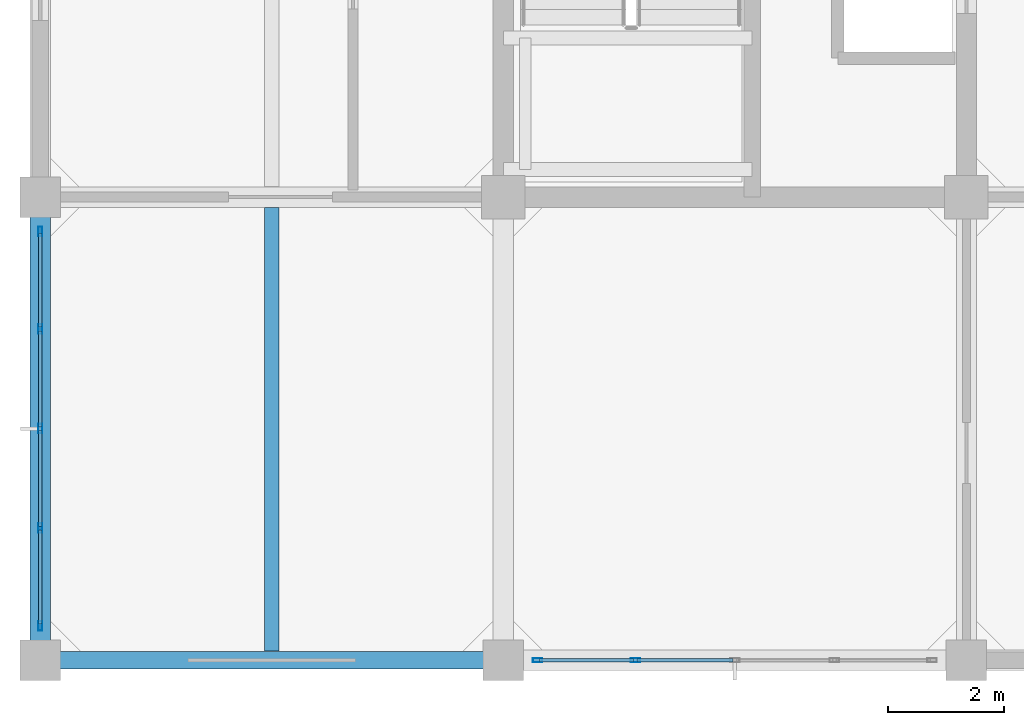
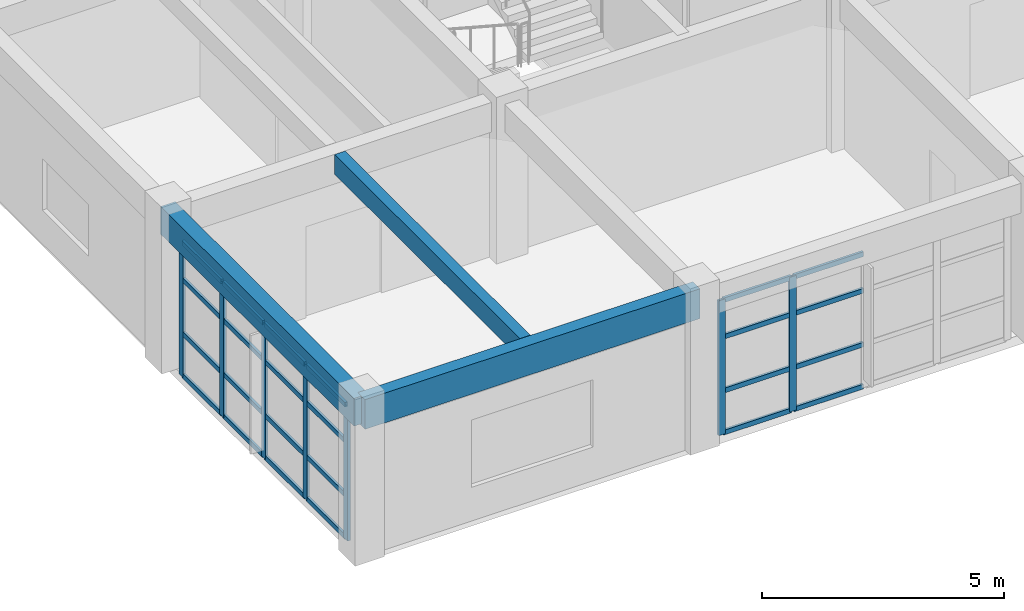
# One storey, part 2 of 19: 31 members, 3 beams, 2 elements without a shape of their own.
"""IFC4 building model written with IfcOpenShell, lengths in metres."""

from ifc_helpers import new_model, si_unit, direction, frame, origin, origin_2d, place, context, subcontext, project, spatial, rectangle, hollow_rectangle, extrude, material, layer, layer_set, material_profile, profile_set, type_object, element, aggregate, save


model = new_model("IFC4")

# Units and contexts
model_context = context("Model", 3, precision=1e-05, world=origin(), true_north=direction((0.0, 1.0)))
body_context = subcontext(model_context, "Body", "Model", "MODEL_VIEW")
ifc_project = project(units=[si_unit("LENGTHUNIT", "METRE"), si_unit("AREAUNIT", "SQUARE_METRE"), si_unit("VOLUMEUNIT", "CUBIC_METRE"), si_unit("PLANEANGLEUNIT", "RADIAN"), si_unit("MASSUNIT", "GRAM", prefix="KILO")], contexts=[model_context])

# Site, building, storey
site_placement = place(None, origin())
site = spatial("IfcSite", under=ifc_project, at=site_placement, CompositionType="ELEMENT")
building_placement = place(site_placement, origin())
building = spatial("IfcBuilding", under=site, at=building_placement, Name="Canggui Botanical Conservatory", CompositionType="ELEMENT")
storey_placement = place(building_placement, frame((0.0, 0.0, 44.39990234375)))
storey = spatial("IfcBuildingStorey", under=building, at=storey_placement, Name="L11", CompositionType="ELEMENT", Elevation=44.39990234375)

# Beams
ifc_material_1 = material(Name="Concrete C35", Category="concrete")
ifc_material_profile_1 = material_profile(ifc_material_1, rectangle(XDim=0.25, YDim=0.5, at=origin_2d()), Name="RB 250x500")
ifc_profile_set_1 = profile_set([ifc_material_profile_1], Name="Concrete C35")
beam_type_1 = type_object("IfcBeamType", Name="BM-JST04", PredefinedType="JOIST", material=ifc_profile_set_1)
beam_1_placement = place(storey_placement, frame((150.0, 34.155029296875, 3.710205078125), z_axis=(0.0, 1.0, 0.0), x_axis=(-1.0, 0.0, 0.0)))
element("IfcBeam", 1, at=beam_1_placement, inside=storey, type_object=beam_type_1, Name="Secondary Floor Joist L11-1-1", PredefinedType="JOIST", context=body_context, shape_type="SweptSolid", body=[
    extrude(rectangle(XDim=0.25, YDim=0.5, at=origin_2d()), origin(), (0.0, 0.0, 1.0), 7.6650390625),
])
ifc_material_profile_2 = material_profile(ifc_material_1, rectangle(XDim=0.35009765625, YDim=0.699951171875, at=origin_2d()), Name="RB 350x700")
ifc_profile_set_2 = profile_set([ifc_material_profile_2], Name="Concrete C35")
beam_type_2 = type_object("IfcBeamType", Name="BM-KL17", PredefinedType="BEAM", material=ifc_profile_set_2)
beam_2_placement = place(storey_placement, frame((146.0, 34.0, 3.610107421875), z_axis=(0.0, 1.0, 0.0), x_axis=(-1.0, 0.0, 0.0)))
element("IfcBeam", 2, at=beam_2_placement, inside=storey, type_object=beam_type_2, Name="Frame Girder L11 X146-1", PredefinedType="BEAM", context=body_context, shape_type="SweptSolid", body=[
    extrude(rectangle(XDim=0.35009765625, YDim=0.699951171875, at=origin_2d()), origin(), (0.0, 0.0, 1.0), 8.0),
])
ifc_material_profile_3 = material_profile(ifc_material_1, rectangle(XDim=0.300048828125, YDim=0.75, at=origin_2d()), Name="RB 300x750")
ifc_profile_set_3 = profile_set([ifc_material_profile_3], Name="Concrete C35")
beam_type_3 = type_object("IfcBeamType", Name="BM-SPD01", PredefinedType="SPANDREL", material=ifc_profile_set_3)
beam_3_placement = place(storey_placement, frame((146.0, 34.0, 3.585205078125), z_axis=(1.0, 0.0, 0.0), x_axis=(0.0, 1.0, 0.0)))
element("IfcBeam", 3, at=beam_3_placement, inside=storey, type_object=beam_type_3, Name="Frame Girder L11 Y34-1", PredefinedType="SPANDREL", context=body_context, shape_type="SweptSolid", body=[
    extrude(rectangle(XDim=0.300048828125, YDim=0.75, at=origin_2d()), origin(), (0.0, 0.0, 1.0), 8.0),
])

# Curtain wall, members
ifc_material_2 = material(Name="Thermally Broken Aluminium", Category="aluminium")
ifc_layer = layer(ifc_material_2, 0.1650390625, Name="Thermally Broken Aluminium", Category="aluminium")
ifc_layer_set = layer_set([ifc_layer], Name="Thermally Broken Aluminium")
curtain_wall_type = type_object("IfcCurtainWallType", Name="CW-UNIT-B", PredefinedType="USERDEFINED", material=ifc_layer_set)
curtain_wall_1_placement = place(storey_placement, origin())
curtain_wall_1 = element("IfcCurtainWall", 4, at=curtain_wall_1_placement, inside=storey, type_object=curtain_wall_type, Name="Facade Curtain Wall CW-TWR-L11-03", ObjectType="UNITISED CURTAIN WALL", PredefinedType="USERDEFINED")
ifc_material_profile_4 = material_profile(ifc_material_2, hollow_rectangle(XDim=0.06494140625, YDim=0.1650390625, WallThickness=0.00390625, at=origin_2d()), Name="CWM 65x165x4")
ifc_profile_set_4 = profile_set([ifc_material_profile_4], Name="Thermally Broken Aluminium")
member_type_1 = type_object("IfcMemberType", Name="CWM-02", PredefinedType="MULLION", material=ifc_profile_set_4)
member_1_placement = place(storey_placement, frame((156.280029296875, 34.0, 0.0), z_axis=(0.0, 0.0, 1.0), x_axis=(0.0, -1.0, 0.0)))
member_1 = element("IfcMember", 5, at=member_1_placement, type_object=member_type_1, Name="CW-02 mullion 4", PredefinedType="MULLION", context=body_context, shape_type="SweptSolid", body=[
    extrude(hollow_rectangle(XDim=0.06494140625, YDim=0.1650390625, WallThickness=0.00390625, at=origin_2d()), origin(), (0.0, 0.0, 1.0), 3.400146484375),
])
member_2_placement = place(storey_placement, frame((154.592529296875, 34.0, 0.0), z_axis=(0.0, 0.0, 1.0), x_axis=(0.0, -1.0, 0.0)))
member_2 = element("IfcMember", 6, at=member_2_placement, type_object=member_type_1, Name="CW-02 mullion 5", PredefinedType="MULLION", context=body_context, shape_type="SweptSolid", body=[
    extrude(hollow_rectangle(XDim=0.06494140625, YDim=0.1650390625, WallThickness=0.00390625, at=origin_2d()), origin(), (0.0, 0.0, 1.0), 3.400146484375),
])

curtain_wall_2_placement = place(storey_placement, origin())
curtain_wall_2 = element("IfcCurtainWall", 7, at=curtain_wall_2_placement, inside=storey, type_object=curtain_wall_type, Name="Facade Curtain Wall CW-TWR-L11-05", ObjectType="UNITISED CURTAIN WALL", PredefinedType="USERDEFINED")
member_3_placement = place(storey_placement, frame((146.0, 34.592529296875, 0.0), z_axis=(0.0, 0.0, 1.0), x_axis=(-1.0, 0.0, 0.0)))
member_3 = element("IfcMember", 8, at=member_3_placement, type_object=member_type_1, Name="CW-02 mullion 1", PredefinedType="MULLION", context=body_context, shape_type="SweptSolid", body=[
    extrude(hollow_rectangle(XDim=0.06494140625, YDim=0.1650390625, WallThickness=0.00390625, at=origin_2d()), origin(), (0.0, 0.0, 1.0), 3.400146484375),
])
member_4_placement = place(storey_placement, frame((146.0, 36.280029296875, 0.0), z_axis=(0.0, 0.0, 1.0), x_axis=(-1.0, 0.0, 0.0)))
member_4 = element("IfcMember", 9, at=member_4_placement, type_object=member_type_1, Name="CW-02 mullion 2", PredefinedType="MULLION", context=body_context, shape_type="SweptSolid", body=[
    extrude(hollow_rectangle(XDim=0.06494140625, YDim=0.1650390625, WallThickness=0.00390625, at=origin_2d()), origin(), (0.0, 0.0, 1.0), 3.400146484375),
])
member_5_placement = place(storey_placement, frame((146.0, 38.0, 0.0), z_axis=(0.0, 0.0, 1.0), x_axis=(-1.0, 0.0, 0.0)))
member_5 = element("IfcMember", 10, at=member_5_placement, type_object=member_type_1, Name="CW-02 mullion 3", PredefinedType="MULLION", context=body_context, shape_type="SweptSolid", body=[
    extrude(hollow_rectangle(XDim=0.06494140625, YDim=0.1650390625, WallThickness=0.00390625, at=origin_2d()), origin(), (0.0, 0.0, 1.0), 3.400146484375),
])
member_6_placement = place(storey_placement, frame((146.0, 39.719970703125, 0.0), z_axis=(0.0, 0.0, 1.0), x_axis=(-1.0, 0.0, 0.0)))
member_6 = element("IfcMember", 11, at=member_6_placement, type_object=member_type_1, Name="CW-02 mullion 4", PredefinedType="MULLION", context=body_context, shape_type="SweptSolid", body=[
    extrude(hollow_rectangle(XDim=0.06494140625, YDim=0.1650390625, WallThickness=0.00390625, at=origin_2d()), origin(), (0.0, 0.0, 1.0), 3.400146484375),
])
member_7_placement = place(storey_placement, frame((146.0, 41.407470703125, 0.0), z_axis=(0.0, 0.0, 1.0), x_axis=(-1.0, 0.0, 0.0)))
member_7 = element("IfcMember", 12, at=member_7_placement, type_object=member_type_1, Name="CW-02 mullion 5", PredefinedType="MULLION", context=body_context, shape_type="SweptSolid", body=[
    extrude(hollow_rectangle(XDim=0.06494140625, YDim=0.1650390625, WallThickness=0.00390625, at=origin_2d()), origin(), (0.0, 0.0, 1.0), 3.400146484375),
])

# Member
ifc_material_profile_5 = material_profile(ifc_material_2, hollow_rectangle(XDim=0.06005859375, YDim=0.1201171875, WallThickness=0.00341796875, at=origin_2d()), Name="CWT 60x120x3.5")
ifc_profile_set_5 = profile_set([ifc_material_profile_5], Name="Thermally Broken Aluminium")
member_type_2 = type_object("IfcMemberType", Name="CWT-02", PredefinedType="USERDEFINED", material=ifc_profile_set_5)
member_8_placement = place(storey_placement, frame((157.967529296875, 34.0, 0.030029296875), z_axis=(-1.0, 0.0, 0.0), x_axis=(0.0, -1.0, 0.0)))
member_8 = element("IfcMember", 13, at=member_8_placement, type_object=member_type_2, Name="CW-02 transom 3.1", ObjectType="TRANSOM", PredefinedType="USERDEFINED", context=body_context, shape_type="SweptSolid", body=[
    extrude(hollow_rectangle(XDim=0.06005859375, YDim=0.1201171875, WallThickness=0.00341796875, at=origin_2d()), origin(), (0.0, 0.0, 1.0), 1.655029296875),
])

member_9_placement = place(storey_placement, frame((157.967529296875, 34.0, 1.088134765625), z_axis=(-1.0, 0.0, 0.0), x_axis=(0.0, -1.0, 0.0)))
member_9 = element("IfcMember", 14, at=member_9_placement, type_object=member_type_2, Name="CW-02 transom 3.2", ObjectType="TRANSOM", PredefinedType="USERDEFINED", context=body_context, shape_type="SweptSolid", body=[
    extrude(hollow_rectangle(XDim=0.06005859375, YDim=0.1201171875, WallThickness=0.00341796875, at=origin_2d()), origin(), (0.0, 0.0, 1.0), 1.655029296875),
])

member_10_placement = place(storey_placement, frame((157.967529296875, 34.0, 2.447998046875), z_axis=(-1.0, 0.0, 0.0), x_axis=(0.0, -1.0, 0.0)))
member_10 = element("IfcMember", 15, at=member_10_placement, type_object=member_type_2, Name="CW-02 transom 3.3", ObjectType="TRANSOM", PredefinedType="USERDEFINED", context=body_context, shape_type="SweptSolid", body=[
    extrude(hollow_rectangle(XDim=0.06005859375, YDim=0.1201171875, WallThickness=0.00341796875, at=origin_2d()), origin(), (0.0, 0.0, 1.0), 1.655029296875),
])

member_11_placement = place(storey_placement, frame((157.967529296875, 34.0, 3.3701171875), z_axis=(-1.0, 0.0, 0.0), x_axis=(0.0, -1.0, 0.0)))
member_11 = element("IfcMember", 16, at=member_11_placement, type_object=member_type_2, Name="CW-02 transom 3.4", ObjectType="TRANSOM", PredefinedType="USERDEFINED", context=body_context, shape_type="SweptSolid", body=[
    extrude(hollow_rectangle(XDim=0.06005859375, YDim=0.1201171875, WallThickness=0.00341796875, at=origin_2d()), origin(), (0.0, 0.0, 1.0), 1.655029296875),
])

member_12_placement = place(storey_placement, frame((156.24755859375, 34.0, 0.030029296875), z_axis=(-1.0, 0.0, 0.0), x_axis=(0.0, -1.0, 0.0)))
member_12 = element("IfcMember", 17, at=member_12_placement, type_object=member_type_2, Name="CW-02 transom 4.1", ObjectType="TRANSOM", PredefinedType="USERDEFINED", context=body_context, shape_type="SweptSolid", body=[
    extrude(hollow_rectangle(XDim=0.06005859375, YDim=0.1201171875, WallThickness=0.00341796875, at=origin_2d()), origin(), (0.0, 0.0, 1.0), 1.62255859375),
])

member_13_placement = place(storey_placement, frame((156.24755859375, 34.0, 1.088134765625), z_axis=(-1.0, 0.0, 0.0), x_axis=(0.0, -1.0, 0.0)))
member_13 = element("IfcMember", 18, at=member_13_placement, type_object=member_type_2, Name="CW-02 transom 4.2", ObjectType="TRANSOM", PredefinedType="USERDEFINED", context=body_context, shape_type="SweptSolid", body=[
    extrude(hollow_rectangle(XDim=0.06005859375, YDim=0.1201171875, WallThickness=0.00341796875, at=origin_2d()), origin(), (0.0, 0.0, 1.0), 1.62255859375),
])

member_14_placement = place(storey_placement, frame((156.24755859375, 34.0, 2.447998046875), z_axis=(-1.0, 0.0, 0.0), x_axis=(0.0, -1.0, 0.0)))
member_14 = element("IfcMember", 19, at=member_14_placement, type_object=member_type_2, Name="CW-02 transom 4.3", ObjectType="TRANSOM", PredefinedType="USERDEFINED", context=body_context, shape_type="SweptSolid", body=[
    extrude(hollow_rectangle(XDim=0.06005859375, YDim=0.1201171875, WallThickness=0.00341796875, at=origin_2d()), origin(), (0.0, 0.0, 1.0), 1.62255859375),
])

member_15_placement = place(storey_placement, frame((156.24755859375, 34.0, 3.3701171875), z_axis=(-1.0, 0.0, 0.0), x_axis=(0.0, -1.0, 0.0)))
member_15 = element("IfcMember", 20, at=member_15_placement, type_object=member_type_2, Name="CW-02 transom 4.4", ObjectType="TRANSOM", PredefinedType="USERDEFINED", context=body_context, shape_type="SweptSolid", body=[
    extrude(hollow_rectangle(XDim=0.06005859375, YDim=0.1201171875, WallThickness=0.00341796875, at=origin_2d()), origin(), (0.0, 0.0, 1.0), 1.62255859375),
])

aggregate(curtain_wall_1, [member_1, member_2, member_8, member_9, member_10, member_11, member_12, member_13, member_14, member_15])

member_16_placement = place(storey_placement, frame((146.0, 34.625, 0.030029296875), z_axis=(0.0, 1.0, 0.0), x_axis=(-1.0, 0.0, 0.0)))
member_16 = element("IfcMember", 21, at=member_16_placement, type_object=member_type_2, Name="CW-02 transom 1.1", ObjectType="TRANSOM", PredefinedType="USERDEFINED", context=body_context, shape_type="SweptSolid", body=[
    extrude(hollow_rectangle(XDim=0.06005859375, YDim=0.1201171875, WallThickness=0.00341796875, at=origin_2d()), origin(), (0.0, 0.0, 1.0), 1.62255859375),
])

member_17_placement = place(storey_placement, frame((146.0, 34.625, 1.088134765625), z_axis=(0.0, 1.0, 0.0), x_axis=(-1.0, 0.0, 0.0)))
member_17 = element("IfcMember", 22, at=member_17_placement, type_object=member_type_2, Name="CW-02 transom 1.2", ObjectType="TRANSOM", PredefinedType="USERDEFINED", context=body_context, shape_type="SweptSolid", body=[
    extrude(hollow_rectangle(XDim=0.06005859375, YDim=0.1201171875, WallThickness=0.00341796875, at=origin_2d()), origin(), (0.0, 0.0, 1.0), 1.62255859375),
])

member_18_placement = place(storey_placement, frame((146.0, 34.625, 2.447998046875), z_axis=(0.0, 1.0, 0.0), x_axis=(-1.0, 0.0, 0.0)))
member_18 = element("IfcMember", 23, at=member_18_placement, type_object=member_type_2, Name="CW-02 transom 1.3", ObjectType="TRANSOM", PredefinedType="USERDEFINED", context=body_context, shape_type="SweptSolid", body=[
    extrude(hollow_rectangle(XDim=0.06005859375, YDim=0.1201171875, WallThickness=0.00341796875, at=origin_2d()), origin(), (0.0, 0.0, 1.0), 1.62255859375),
])

member_19_placement = place(storey_placement, frame((146.0, 34.625, 3.3701171875), z_axis=(0.0, 1.0, 0.0), x_axis=(-1.0, 0.0, 0.0)))
member_19 = element("IfcMember", 24, at=member_19_placement, type_object=member_type_2, Name="CW-02 transom 1.4", ObjectType="TRANSOM", PredefinedType="USERDEFINED", context=body_context, shape_type="SweptSolid", body=[
    extrude(hollow_rectangle(XDim=0.06005859375, YDim=0.1201171875, WallThickness=0.00341796875, at=origin_2d()), origin(), (0.0, 0.0, 1.0), 1.62255859375),
])

member_20_placement = place(storey_placement, frame((146.0, 36.3125, 0.030029296875), z_axis=(0.0, 1.0, 0.0), x_axis=(-1.0, 0.0, 0.0)))
member_20 = element("IfcMember", 25, at=member_20_placement, type_object=member_type_2, Name="CW-02 transom 2.1", ObjectType="TRANSOM", PredefinedType="USERDEFINED", context=body_context, shape_type="SweptSolid", body=[
    extrude(hollow_rectangle(XDim=0.06005859375, YDim=0.1201171875, WallThickness=0.00341796875, at=origin_2d()), origin(), (0.0, 0.0, 1.0), 1.655029296875),
])

member_21_placement = place(storey_placement, frame((146.0, 36.3125, 1.088134765625), z_axis=(0.0, 1.0, 0.0), x_axis=(-1.0, 0.0, 0.0)))
member_21 = element("IfcMember", 26, at=member_21_placement, type_object=member_type_2, Name="CW-02 transom 2.2", ObjectType="TRANSOM", PredefinedType="USERDEFINED", context=body_context, shape_type="SweptSolid", body=[
    extrude(hollow_rectangle(XDim=0.06005859375, YDim=0.1201171875, WallThickness=0.00341796875, at=origin_2d()), origin(), (0.0, 0.0, 1.0), 1.655029296875),
])

member_22_placement = place(storey_placement, frame((146.0, 36.3125, 2.447998046875), z_axis=(0.0, 1.0, 0.0), x_axis=(-1.0, 0.0, 0.0)))
member_22 = element("IfcMember", 27, at=member_22_placement, type_object=member_type_2, Name="CW-02 transom 2.3", ObjectType="TRANSOM", PredefinedType="USERDEFINED", context=body_context, shape_type="SweptSolid", body=[
    extrude(hollow_rectangle(XDim=0.06005859375, YDim=0.1201171875, WallThickness=0.00341796875, at=origin_2d()), origin(), (0.0, 0.0, 1.0), 1.655029296875),
])

member_23_placement = place(storey_placement, frame((146.0, 36.3125, 3.3701171875), z_axis=(0.0, 1.0, 0.0), x_axis=(-1.0, 0.0, 0.0)))
member_23 = element("IfcMember", 28, at=member_23_placement, type_object=member_type_2, Name="CW-02 transom 2.4", ObjectType="TRANSOM", PredefinedType="USERDEFINED", context=body_context, shape_type="SweptSolid", body=[
    extrude(hollow_rectangle(XDim=0.06005859375, YDim=0.1201171875, WallThickness=0.00341796875, at=origin_2d()), origin(), (0.0, 0.0, 1.0), 1.655029296875),
])

member_24_placement = place(storey_placement, frame((146.0, 38.032470703125, 0.030029296875), z_axis=(0.0, 1.0, 0.0), x_axis=(-1.0, 0.0, 0.0)))
member_24 = element("IfcMember", 29, at=member_24_placement, type_object=member_type_2, Name="CW-02 transom 3.1", ObjectType="TRANSOM", PredefinedType="USERDEFINED", context=body_context, shape_type="SweptSolid", body=[
    extrude(hollow_rectangle(XDim=0.06005859375, YDim=0.1201171875, WallThickness=0.00341796875, at=origin_2d()), origin(), (0.0, 0.0, 1.0), 1.655029296875),
])

member_25_placement = place(storey_placement, frame((146.0, 38.032470703125, 1.088134765625), z_axis=(0.0, 1.0, 0.0), x_axis=(-1.0, 0.0, 0.0)))
member_25 = element("IfcMember", 30, at=member_25_placement, type_object=member_type_2, Name="CW-02 transom 3.2", ObjectType="TRANSOM", PredefinedType="USERDEFINED", context=body_context, shape_type="SweptSolid", body=[
    extrude(hollow_rectangle(XDim=0.06005859375, YDim=0.1201171875, WallThickness=0.00341796875, at=origin_2d()), origin(), (0.0, 0.0, 1.0), 1.655029296875),
])

member_26_placement = place(storey_placement, frame((146.0, 38.032470703125, 2.447998046875), z_axis=(0.0, 1.0, 0.0), x_axis=(-1.0, 0.0, 0.0)))
member_26 = element("IfcMember", 31, at=member_26_placement, type_object=member_type_2, Name="CW-02 transom 3.3", ObjectType="TRANSOM", PredefinedType="USERDEFINED", context=body_context, shape_type="SweptSolid", body=[
    extrude(hollow_rectangle(XDim=0.06005859375, YDim=0.1201171875, WallThickness=0.00341796875, at=origin_2d()), origin(), (0.0, 0.0, 1.0), 1.655029296875),
])

member_27_placement = place(storey_placement, frame((146.0, 38.032470703125, 3.3701171875), z_axis=(0.0, 1.0, 0.0), x_axis=(-1.0, 0.0, 0.0)))
member_27 = element("IfcMember", 32, at=member_27_placement, type_object=member_type_2, Name="CW-02 transom 3.4", ObjectType="TRANSOM", PredefinedType="USERDEFINED", context=body_context, shape_type="SweptSolid", body=[
    extrude(hollow_rectangle(XDim=0.06005859375, YDim=0.1201171875, WallThickness=0.00341796875, at=origin_2d()), origin(), (0.0, 0.0, 1.0), 1.655029296875),
])

member_28_placement = place(storey_placement, frame((146.0, 39.75244140625, 0.030029296875), z_axis=(0.0, 1.0, 0.0), x_axis=(-1.0, 0.0, 0.0)))
member_28 = element("IfcMember", 33, at=member_28_placement, type_object=member_type_2, Name="CW-02 transom 4.1", ObjectType="TRANSOM", PredefinedType="USERDEFINED", context=body_context, shape_type="SweptSolid", body=[
    extrude(hollow_rectangle(XDim=0.06005859375, YDim=0.1201171875, WallThickness=0.00341796875, at=origin_2d()), origin(), (0.0, 0.0, 1.0), 1.62255859375),
])

member_29_placement = place(storey_placement, frame((146.0, 39.75244140625, 1.088134765625), z_axis=(0.0, 1.0, 0.0), x_axis=(-1.0, 0.0, 0.0)))
member_29 = element("IfcMember", 34, at=member_29_placement, type_object=member_type_2, Name="CW-02 transom 4.2", ObjectType="TRANSOM", PredefinedType="USERDEFINED", context=body_context, shape_type="SweptSolid", body=[
    extrude(hollow_rectangle(XDim=0.06005859375, YDim=0.1201171875, WallThickness=0.00341796875, at=origin_2d()), origin(), (0.0, 0.0, 1.0), 1.62255859375),
])

member_30_placement = place(storey_placement, frame((146.0, 39.75244140625, 2.447998046875), z_axis=(0.0, 1.0, 0.0), x_axis=(-1.0, 0.0, 0.0)))
member_30 = element("IfcMember", 35, at=member_30_placement, type_object=member_type_2, Name="CW-02 transom 4.3", ObjectType="TRANSOM", PredefinedType="USERDEFINED", context=body_context, shape_type="SweptSolid", body=[
    extrude(hollow_rectangle(XDim=0.06005859375, YDim=0.1201171875, WallThickness=0.00341796875, at=origin_2d()), origin(), (0.0, 0.0, 1.0), 1.62255859375),
])

member_31_placement = place(storey_placement, frame((146.0, 39.75244140625, 3.3701171875), z_axis=(0.0, 1.0, 0.0), x_axis=(-1.0, 0.0, 0.0)))
member_31 = element("IfcMember", 36, at=member_31_placement, type_object=member_type_2, Name="CW-02 transom 4.4", ObjectType="TRANSOM", PredefinedType="USERDEFINED", context=body_context, shape_type="SweptSolid", body=[
    extrude(hollow_rectangle(XDim=0.06005859375, YDim=0.1201171875, WallThickness=0.00341796875, at=origin_2d()), origin(), (0.0, 0.0, 1.0), 1.62255859375),
])

aggregate(curtain_wall_2, [member_3, member_4, member_5, member_6, member_7, member_16, member_17, member_18, member_19, member_20, member_21, member_22, member_23, member_24, member_25, member_26, member_27, member_28, member_29, member_30, member_31])

save(model, "model.ifc")
